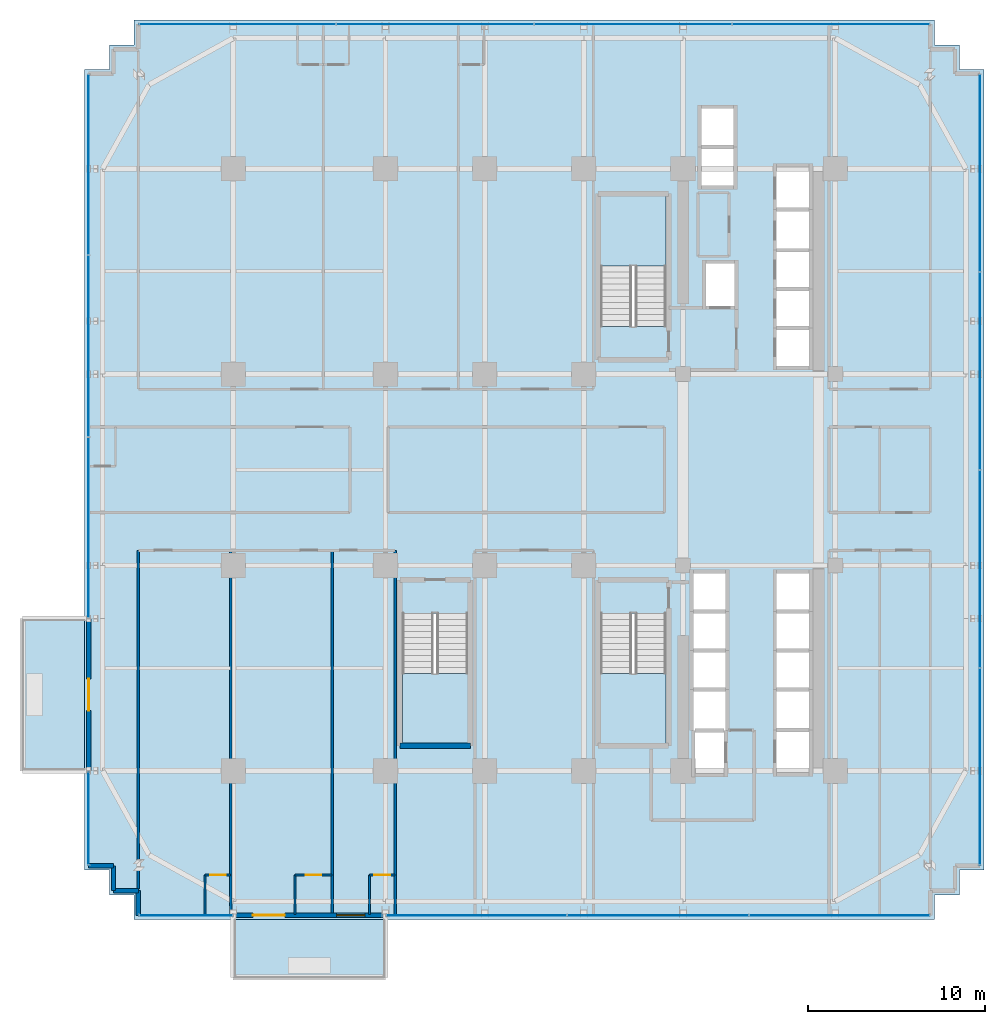
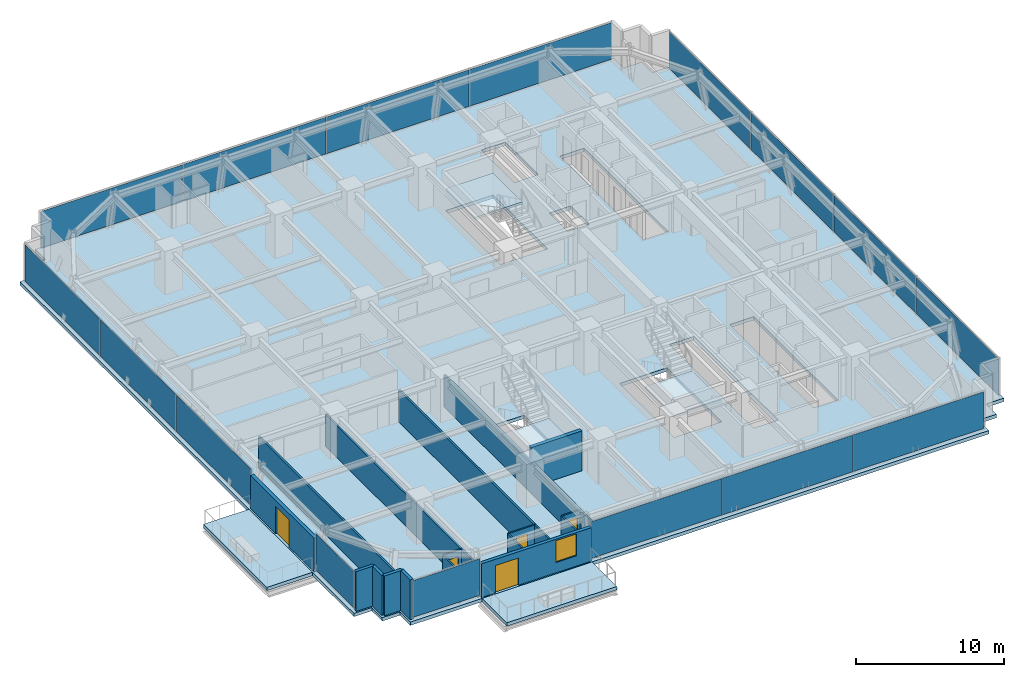
# One storey, part 28 of 35: 17 walls, 16 plates, 6 slabs, 5 doors, 1 window, 6 openings, 9 elements without a shape of their own.
"""IFC4 building model written with IfcOpenShell, lengths in metres."""

from ifc_helpers import new_model, si_unit, direction, frame, frame_2d, origin, origin_2d, place, context, subcontext, project, spatial, polyline, rectangle, outline, extrude, source, transform, mapped, material, layer, layer_set, type_object, element, fill, aggregate, save


model = new_model("IFC4")

# Units and contexts
model_context = context("Model", 3, precision=1e-05, world=origin(), true_north=direction((0.0, 1.0)))
body_context = subcontext(model_context, "Body", "Model", "MODEL_VIEW")
ifc_project = project(units=[si_unit("LENGTHUNIT", "METRE"), si_unit("AREAUNIT", "SQUARE_METRE"), si_unit("VOLUMEUNIT", "CUBIC_METRE"), si_unit("PLANEANGLEUNIT", "RADIAN"), si_unit("MASSUNIT", "GRAM", prefix="KILO")], contexts=[model_context])

# Site, building, storey
site_placement = place(None, origin())
site = spatial("IfcSite", under=ifc_project, at=site_placement, CompositionType="ELEMENT")
building_placement = place(site_placement, origin())
building = spatial("IfcBuilding", under=site, at=building_placement, Name="Nahalor Promenade Grand Hotel", CompositionType="ELEMENT")
storey_placement = place(building_placement, frame((0.0, 0.0, 79.85009765625)))
storey = spatial("IfcBuildingStorey", under=building, at=storey_placement, Name="L19", CompositionType="ELEMENT", Elevation=79.85009765625)

# Stair, slab
ifc_material_1 = material(Name="Concrete B-50 (C40/50)", Category="concrete")
stair_type_1 = type_object("IfcStairType", Name="Stair-ST1", PredefinedType="HALF_TURN_STAIR", material=ifc_material_1)
stair_1_placement = place(storey_placement, origin())
stair_1 = element("IfcStair", 1, at=stair_1_placement, inside=storey, type_object=stair_type_1, Name="L19 ST1", PredefinedType="HALF_TURN_STAIR")
ifc_layer_1 = layer(ifc_material_1, 0.199951171875)
ifc_layer_set_1 = layer_set([ifc_layer_1], Name="Concrete B-50 (C40/50)")
slab_type_1 = type_object("IfcSlabType", Name="Landing-ST1", PredefinedType="LANDING", material=ifc_layer_set_1)
slab_1_placement = place(storey_placement, frame((0.0, 0.0, 1.625)))
slab_1 = element("IfcSlab", 2, at=slab_1_placement, type_object=slab_type_1, Name="ST1 landing 1", PredefinedType="LANDING", context=body_context, shape_type="SweptSolid", body=[
    extrude(outline(polyline([(7.449951171875, 11.5), (7.449951171875, 15.449951171875), (3.75, 15.449951171875), (3.75, 11.5), (7.449951171875, 11.5)])), origin(), (0.0, 0.0, 1.0), 0.199951171875),
])
aggregate(stair_1, [slab_1])

stair_type_2 = type_object("IfcStairType", Name="Stair-ST2", PredefinedType="HALF_TURN_STAIR", material=ifc_material_1)
stair_2_placement = place(storey_placement, origin())
stair_2 = element("IfcStair", 3, at=stair_2_placement, inside=storey, type_object=stair_type_2, Name="L19 ST2", PredefinedType="HALF_TURN_STAIR")
ifc_layer_2 = layer(ifc_material_1, 0.2099609375)
ifc_layer_set_2 = layer_set([ifc_layer_2], Name="Concrete B-50 (C40/50)")
slab_type_2 = type_object("IfcSlabType", Name="Landing-ST2", PredefinedType="LANDING", material=ifc_layer_set_2)
slab_2_placement = place(storey_placement, frame((0.0, 0.0, 1.614990234375)))
slab_2 = element("IfcSlab", 4, at=slab_2_placement, type_object=slab_type_2, Name="ST2 landing 1", PredefinedType="LANDING", context=body_context, shape_type="SweptSolid", body=[
    extrude(outline(polyline([(3.75, -11.5), (3.75, -15.449951171875), (7.449951171875, -15.449951171875), (7.449951171875, -11.5), (3.75, -11.5)])), origin(), (0.0, 0.0, 1.0), 0.2099609375),
])
aggregate(stair_2, [slab_2])

stair_type_3 = type_object("IfcStairType", Name="Stair-ST3", PredefinedType="HALF_TURN_STAIR", material=ifc_material_1)
stair_3_placement = place(storey_placement, origin())
stair_3 = element("IfcStair", 5, at=stair_3_placement, inside=storey, type_object=stair_type_3, Name="L19 ST3", PredefinedType="HALF_TURN_STAIR")
ifc_layer_3 = layer(ifc_material_1, 0.219970703125)
ifc_layer_set_3 = layer_set([ifc_layer_3], Name="Concrete B-50 (C40/50)")
slab_type_3 = type_object("IfcSlabType", Name="Landing-ST3", PredefinedType="LANDING", material=ifc_layer_set_3)
slab_3_placement = place(storey_placement, frame((0.0, 0.0, 1.60498046875)))
slab_3 = element("IfcSlab", 6, at=slab_3_placement, type_object=slab_type_3, Name="ST3 landing 1", PredefinedType="LANDING", context=body_context, shape_type="SweptSolid", body=[
    extrude(outline(polyline([(-7.449951171875, -11.5), (-7.449951171875, -15.449951171875), (-3.75, -15.449951171875), (-3.75, -11.5), (-7.449951171875, -11.5)])), origin(), (0.0, 0.0, 1.0), 0.219970703125),
])
aggregate(stair_3, [slab_3])

# Slabs
ifc_layer_4 = layer(ifc_material_1, 0.280029296875)
ifc_layer_set_4 = layer_set([ifc_layer_4], Name="Concrete B-50 (C40/50)")
slab_type_4 = type_object("IfcSlabType", Name="Slab-Balcony-280", PredefinedType="FLOOR", material=ifc_layer_set_4)
slab_4_placement = place(storey_placement, frame((0.0, 0.0, -0.280029296875)))
element("IfcSlab", 7, at=slab_4_placement, inside=storey, type_object=slab_type_4, Name="L19 Cantilevered Planted Balcony 1", PredefinedType="FLOOR", context=body_context, shape_type="SweptSolid", body=[
    extrude(outline(polyline([(-17.0, -28.739990234375), (-8.39990234375, -28.739990234375), (-8.39990234375, -25.39990234375), (-17.0, -25.39990234375), (-17.0, -28.739990234375)])), origin(), (0.0, 0.0, 1.0), 0.280029296875),
])
slab_5_placement = place(storey_placement, frame((0.0, 0.0, -0.280029296875)))
element("IfcSlab", 8, at=slab_5_placement, inside=storey, type_object=slab_type_4, Name="L19 Cantilevered Planted Balcony 2", PredefinedType="FLOOR", context=body_context, shape_type="SweptSolid", body=[
    extrude(outline(polyline([(-28.969970703125, -17.0), (-25.39990234375, -17.0), (-25.39990234375, -8.39990234375), (-28.969970703125, -8.39990234375), (-28.969970703125, -17.0)])), origin(), (0.0, 0.0, 1.0), 0.280029296875),
])
ifc_layer_5 = layer(ifc_material_1, 0.280029296875)
ifc_layer_set_5 = layer_set([ifc_layer_5], Name="Concrete B-50 (C40/50)")
slab_type_5 = type_object("IfcSlabType", Name="Slab-TowerZ1-280", PredefinedType="FLOOR", material=ifc_layer_set_5)
slab_6_placement = place(storey_placement, frame((0.0, 0.0, -0.280029296875)))
element("IfcSlab", 9, at=slab_6_placement, inside=storey, type_object=slab_type_5, Name="L19 Suspended Structural Floor Slab", PredefinedType="FLOOR", context=body_context, shape_type="SweptSolid", body=[
    extrude(outline(polyline([(-22.60009765625, -25.39990234375), (22.60009765625, -25.39990234375), (22.60009765625, -24.0), (24.0, -24.0), (24.0, -22.60009765625), (25.39990234375, -22.60009765625), (25.39990234375, 22.60009765625), (24.0, 22.60009765625), (24.0, 24.0), (22.60009765625, 24.0), (22.60009765625, 25.39990234375), (-22.60009765625, 25.39990234375), (-22.60009765625, 24.0), (-24.0, 24.0), (-24.0, 22.60009765625), (-25.39990234375, 22.60009765625), (-25.39990234375, -22.60009765625), (-24.0, -22.60009765625), (-24.0, -24.0), (-22.60009765625, -24.0), (-22.60009765625, -25.39990234375)]), holes=[polyline([(3.75, 8.10009765625), (7.449951171875, 8.10009765625), (7.449951171875, 15.449951171875), (3.75, 15.449951171875), (3.75, 8.10009765625)]), polyline([(3.75, -15.449951171875), (7.449951171875, -15.449951171875), (7.449951171875, -8.10009765625), (3.75, -8.10009765625), (3.75, -15.449951171875)]), polyline([(-7.449951171875, -15.449951171875), (-3.75, -15.449951171875), (-3.75, -8.10009765625), (-7.449951171875, -8.10009765625), (-7.449951171875, -15.449951171875)]), polyline([(13.659912109375, 5.81005859375), (15.5400390625, 5.81005859375), (15.5400390625, 17.139892578125), (13.659912109375, 17.139892578125), (13.659912109375, 5.81005859375)]), polyline([(13.659912109375, -17.139892578125), (15.5400390625, -17.139892578125), (15.5400390625, -5.81005859375), (13.659912109375, -5.81005859375), (13.659912109375, -17.139892578125)]), polyline([(8.9599609375, -17.18994140625), (10.840087890625, -17.18994140625), (10.840087890625, -5.81005859375), (8.9599609375, -5.81005859375), (8.9599609375, -17.18994140625)]), polyline([(9.409912109375, 16.010009765625), (11.2900390625, 16.010009765625), (11.2900390625, 20.43994140625), (9.409912109375, 20.43994140625), (9.409912109375, 16.010009765625)]), polyline([(9.659912109375, 9.2099609375), (11.340087890625, 9.2099609375), (11.340087890625, 11.68994140625), (9.659912109375, 11.68994140625), (9.659912109375, 9.2099609375)])]), origin(), (0.0, 0.0, 1.0), 0.280029296875),
])

# Curtain wall, plate
ifc_material_2 = material(Name="Anodised Bronze Aluminium EN AW-6063 T6", Category="aluminium")
curtain_wall_type = type_object("IfcCurtainWallType", Name="CW2 Typical Hotel Flush Bronze Unitised Curtain Wall", PredefinedType="USERDEFINED", material=ifc_material_2)
curtain_wall_1_placement = place(storey_placement, origin())
curtain_wall_1 = element("IfcCurtainWall", 10, at=curtain_wall_1_placement, inside=storey, type_object=curtain_wall_type, Name="L19 Curtain Wall CW-L19-S-1", ObjectType="UNITISED_CURTAIN_WALL", PredefinedType="USERDEFINED")
ifc_material_3 = material(Name="Low-E Laminated Solar Glass", Category="glass")
ifc_layer_6 = layer(ifc_material_3, 0.028076171875)
ifc_layer_set_6 = layer_set([ifc_layer_6], Name="Low-E Laminated Solar Glass")
plate_type = type_object("IfcPlateType", Name="CWP2 Bronze Low-E Vision IGU 28mm", PredefinedType="CURTAIN_PANEL", material=ifc_layer_set_6)
shared_shape_1 = source(origin(), body_context, "Body", "SweptSolid", [
    extrude(rectangle(XDim=5.22998046875, YDim=0.028076171875, at=origin_2d()), origin(), (0.0, 0.0, 1.0), 3.030029296875),
])
plate_1_placement = place(storey_placement, frame((-19.679931640625, -25.159912109375, 0.1298828125), z_axis=(0.0, 0.0, 1.0), x_axis=(1.0, 0.0, 0.0)))
plate_1 = element("IfcPlate", 11, at=plate_1_placement, type_object=plate_type, Name="CW-L19-S-1 Glazing Panel 0-0", PredefinedType="CURTAIN_PANEL", context=body_context, shape_type="MappedRepresentation", body=[
    mapped(shared_shape_1, transform((0.0, 0.0, 0.0), scale=1.0)),
])
aggregate(curtain_wall_1, [plate_1])

curtain_wall_2_placement = place(storey_placement, origin())
curtain_wall_2 = element("IfcCurtainWall", 12, at=curtain_wall_2_placement, inside=storey, type_object=curtain_wall_type, Name="L19 Curtain Wall CW-L19-W-1", ObjectType="UNITISED_CURTAIN_WALL", PredefinedType="USERDEFINED")
plate_2_placement = place(storey_placement, frame((-25.159912109375, -19.679931640625, 0.1298828125), z_axis=(0.0, 0.0, 1.0), x_axis=(0.0, 1.0, 0.0)))
plate_2 = element("IfcPlate", 13, at=plate_2_placement, type_object=plate_type, Name="CW-L19-W-1 Glazing Panel 0-0", PredefinedType="CURTAIN_PANEL", context=body_context, shape_type="MappedRepresentation", body=[
    mapped(shared_shape_1, transform((0.0, 0.0, 0.0), scale=1.0)),
])
aggregate(curtain_wall_2, [plate_2])

# Curtain wall, plates
curtain_wall_3_placement = place(storey_placement, origin())
curtain_wall_3 = element("IfcCurtainWall", 14, at=curtain_wall_3_placement, inside=storey, type_object=curtain_wall_type, Name="L19 Curtain Wall CW-L19-S-3", ObjectType="UNITISED_CURTAIN_WALL", PredefinedType="USERDEFINED")
shared_shape_2 = source(origin(), body_context, "Body", "SweptSolid", [
    extrude(rectangle(XDim=10.15576171875, YDim=0.028076171875, at=origin_2d()), origin(), (0.0, 0.0, 1.0), 3.030029296875),
])
plate_3_placement = place(storey_placement, frame((-3.257080078125, -25.159912109375, 0.1298828125), z_axis=(0.0, 0.0, 1.0), x_axis=(1.0, 0.0, 0.0)))
plate_3 = element("IfcPlate", 15, at=plate_3_placement, type_object=plate_type, Name="CW-L19-S-3 Glazing Panel 0-0", PredefinedType="CURTAIN_PANEL", context=body_context, shape_type="MappedRepresentation", body=[
    mapped(shared_shape_2, transform((0.0, 0.0, 0.0), scale=1.0)),
])
plate_4_placement = place(storey_placement, frame((17.217041015625, -25.159912109375, 0.1298828125), z_axis=(0.0, 0.0, 1.0), x_axis=(1.0, 0.0, 0.0)))
plate_4 = element("IfcPlate", 16, at=plate_4_placement, type_object=plate_type, Name="CW-L19-S-3 Glazing Panel 2-0", PredefinedType="CURTAIN_PANEL", context=body_context, shape_type="MappedRepresentation", body=[
    mapped(shared_shape_2, transform((0.0, 0.0, 0.0), scale=1.0)),
])

curtain_wall_4_placement = place(storey_placement, origin())
curtain_wall_4 = element("IfcCurtainWall", 17, at=curtain_wall_4_placement, inside=storey, type_object=curtain_wall_type, Name="L19 Curtain Wall CW-L19-W-3", ObjectType="UNITISED_CURTAIN_WALL", PredefinedType="USERDEFINED")
plate_5_placement = place(storey_placement, frame((-25.159912109375, -3.257080078125, 0.1298828125), z_axis=(0.0, 0.0, 1.0), x_axis=(0.0, 1.0, 0.0)))
plate_5 = element("IfcPlate", 18, at=plate_5_placement, type_object=plate_type, Name="CW-L19-W-3 Glazing Panel 0-0", PredefinedType="CURTAIN_PANEL", context=body_context, shape_type="MappedRepresentation", body=[
    mapped(shared_shape_2, transform((0.0, 0.0, 0.0), scale=1.0)),
])
plate_6_placement = place(storey_placement, frame((-25.159912109375, 17.217041015625, 0.1298828125), z_axis=(0.0, 0.0, 1.0), x_axis=(0.0, 1.0, 0.0)))
plate_6 = element("IfcPlate", 19, at=plate_6_placement, type_object=plate_type, Name="CW-L19-W-3 Glazing Panel 2-0", PredefinedType="CURTAIN_PANEL", context=body_context, shape_type="MappedRepresentation", body=[
    mapped(shared_shape_2, transform((0.0, 0.0, 0.0), scale=1.0)),
])

# Plate
shared_shape_3 = source(origin(), body_context, "Body", "SweptSolid", [
    extrude(rectangle(XDim=10.188232421875, YDim=0.028076171875, at=origin_2d()), origin(), (0.0, 0.0, 1.0), 3.030029296875),
])
plate_7_placement = place(storey_placement, frame((6.97998046875, -25.159912109375, 0.1298828125), z_axis=(0.0, 0.0, 1.0), x_axis=(1.0, 0.0, 0.0)))
plate_7 = element("IfcPlate", 20, at=plate_7_placement, type_object=plate_type, Name="CW-L19-S-3 Glazing Panel 1-0", PredefinedType="CURTAIN_PANEL", context=body_context, shape_type="MappedRepresentation", body=[
    mapped(shared_shape_3, transform((0.0, 0.0, 0.0), scale=1.0)),
])

aggregate(curtain_wall_3, [plate_3, plate_7, plate_4])

plate_8_placement = place(storey_placement, frame((-25.159912109375, 6.97998046875, 0.1298828125), z_axis=(0.0, 0.0, 1.0), x_axis=(0.0, 1.0, 0.0)))
plate_8 = element("IfcPlate", 21, at=plate_8_placement, type_object=plate_type, Name="CW-L19-W-3 Glazing Panel 1-0", PredefinedType="CURTAIN_PANEL", context=body_context, shape_type="MappedRepresentation", body=[
    mapped(shared_shape_3, transform((0.0, 0.0, 0.0), scale=1.0)),
])

aggregate(curtain_wall_4, [plate_5, plate_8, plate_6])

# Curtain wall, plates
curtain_wall_5_placement = place(storey_placement, origin())
curtain_wall_5 = element("IfcCurtainWall", 22, at=curtain_wall_5_placement, inside=storey, type_object=curtain_wall_type, Name="L19 Curtain Wall CW-L19-N-1", ObjectType="UNITISED_CURTAIN_WALL", PredefinedType="USERDEFINED")
shared_shape_4 = source(origin(), body_context, "Body", "SweptSolid", [
    extrude(rectangle(XDim=11.08251953125, YDim=0.028076171875, at=origin_2d()), origin(), (0.0, 0.0, 1.0), 3.030029296875),
])
plate_9_placement = place(storey_placement, frame((-16.753662109375, 25.159912109375, 0.1298828125), z_axis=(0.0, 0.0, 1.0), x_axis=(1.0, 0.0, 0.0)))
plate_9 = element("IfcPlate", 23, at=plate_9_placement, type_object=plate_type, Name="CW-L19-N-1 Glazing Panel 0-0", PredefinedType="CURTAIN_PANEL", context=body_context, shape_type="MappedRepresentation", body=[
    mapped(shared_shape_4, transform((0.0, 0.0, 0.0), scale=1.0)),
])
plate_10_placement = place(storey_placement, frame((16.753662109375, 25.159912109375, 0.1298828125), z_axis=(0.0, 0.0, 1.0), x_axis=(1.0, 0.0, 0.0)))
plate_10 = element("IfcPlate", 24, at=plate_10_placement, type_object=plate_type, Name="CW-L19-N-1 Glazing Panel 3-0", PredefinedType="CURTAIN_PANEL", context=body_context, shape_type="MappedRepresentation", body=[
    mapped(shared_shape_4, transform((0.0, 0.0, 0.0), scale=1.0)),
])

curtain_wall_6_placement = place(storey_placement, origin())
curtain_wall_6 = element("IfcCurtainWall", 25, at=curtain_wall_6_placement, inside=storey, type_object=curtain_wall_type, Name="L19 Curtain Wall CW-L19-E-1", ObjectType="UNITISED_CURTAIN_WALL", PredefinedType="USERDEFINED")
plate_11_placement = place(storey_placement, frame((25.159912109375, -16.753662109375, 0.1298828125), z_axis=(0.0, 0.0, 1.0), x_axis=(0.0, 1.0, 0.0)))
plate_11 = element("IfcPlate", 26, at=plate_11_placement, type_object=plate_type, Name="CW-L19-E-1 Glazing Panel 0-0", PredefinedType="CURTAIN_PANEL", context=body_context, shape_type="MappedRepresentation", body=[
    mapped(shared_shape_4, transform((0.0, 0.0, 0.0), scale=1.0)),
])
plate_12_placement = place(storey_placement, frame((25.159912109375, 16.753662109375, 0.1298828125), z_axis=(0.0, 0.0, 1.0), x_axis=(0.0, 1.0, 0.0)))
plate_12 = element("IfcPlate", 27, at=plate_12_placement, type_object=plate_type, Name="CW-L19-E-1 Glazing Panel 3-0", PredefinedType="CURTAIN_PANEL", context=body_context, shape_type="MappedRepresentation", body=[
    mapped(shared_shape_4, transform((0.0, 0.0, 0.0), scale=1.0)),
])

# Plate
shared_shape_5 = source(origin(), body_context, "Body", "SweptSolid", [
    extrude(rectangle(XDim=11.114990234375, YDim=0.028076171875, at=origin_2d()), origin(), (0.0, 0.0, 1.0), 3.030029296875),
])
plate_13_placement = place(storey_placement, frame((-5.590087890625, 25.159912109375, 0.1298828125), z_axis=(0.0, 0.0, 1.0), x_axis=(1.0, 0.0, 0.0)))
plate_13 = element("IfcPlate", 28, at=plate_13_placement, type_object=plate_type, Name="CW-L19-N-1 Glazing Panel 1-0", PredefinedType="CURTAIN_PANEL", context=body_context, shape_type="MappedRepresentation", body=[
    mapped(shared_shape_5, transform((0.0, 0.0, 0.0), scale=1.0)),
])

plate_14_placement = place(storey_placement, frame((5.590087890625, 25.159912109375, 0.1298828125), z_axis=(0.0, 0.0, 1.0), x_axis=(1.0, 0.0, 0.0)))
plate_14 = element("IfcPlate", 29, at=plate_14_placement, type_object=plate_type, Name="CW-L19-N-1 Glazing Panel 2-0", PredefinedType="CURTAIN_PANEL", context=body_context, shape_type="MappedRepresentation", body=[
    mapped(shared_shape_5, transform((0.0, 0.0, 0.0), scale=1.0)),
])

aggregate(curtain_wall_5, [plate_9, plate_13, plate_14, plate_10])

plate_15_placement = place(storey_placement, frame((25.159912109375, -5.590087890625, 0.1298828125), z_axis=(0.0, 0.0, 1.0), x_axis=(0.0, 1.0, 0.0)))
plate_15 = element("IfcPlate", 30, at=plate_15_placement, type_object=plate_type, Name="CW-L19-E-1 Glazing Panel 1-0", PredefinedType="CURTAIN_PANEL", context=body_context, shape_type="MappedRepresentation", body=[
    mapped(shared_shape_5, transform((0.0, 0.0, 0.0), scale=1.0)),
])

plate_16_placement = place(storey_placement, frame((25.159912109375, 5.590087890625, 0.1298828125), z_axis=(0.0, 0.0, 1.0), x_axis=(0.0, 1.0, 0.0)))
plate_16 = element("IfcPlate", 31, at=plate_16_placement, type_object=plate_type, Name="CW-L19-E-1 Glazing Panel 2-0", PredefinedType="CURTAIN_PANEL", context=body_context, shape_type="MappedRepresentation", body=[
    mapped(shared_shape_5, transform((0.0, 0.0, 0.0), scale=1.0)),
])

aggregate(curtain_wall_6, [plate_11, plate_15, plate_16, plate_12])

# Walls
ifc_layer_7 = layer(ifc_material_1, 0.300048828125)
ifc_layer_set_7 = layer_set([ifc_layer_7], Name="Concrete B-50 (C40/50)")
wall_type_1 = type_object("IfcWallType", Name="Wall-ShaftShear-300", PredefinedType="SHEAR", material=ifc_layer_set_7)
shared_shape_6 = source(origin(), body_context, "Body", "SweptSolid", [
    extrude(rectangle(XDim=3.97998046875, YDim=0.300048828125, at=frame_2d((1.989990234375, 0.0))), origin(), (0.0, 0.0, 1.0), 3.289794921875),
])
wall_1_placement = place(storey_placement, frame((-7.590087890625, -15.590087890625, 0.0), z_axis=(0.0, 0.0, 1.0), x_axis=(1.0, 0.0, 0.0)))
element("IfcWall", 32, at=wall_1_placement, inside=storey, type_object=wall_type_1, Name="L19 Exit Stair ST3 Shaft Wall S", PredefinedType="SHEAR", context=body_context, shape_type="MappedRepresentation", body=[
    mapped(shared_shape_6, transform((0.0, 0.0, 0.0), scale=1.0)),
])
ifc_material_4 = material(Name="Concrete B-40 (C32/40)", Category="concrete")
ifc_layer_8 = layer(ifc_material_4, 0.25)
ifc_layer_set_8 = layer_set([ifc_layer_8], Name="Concrete B-40 (C32/40)")
wall_type_2 = type_object("IfcWallType", Name="Wall-BronzePier-250", PredefinedType="STANDARD", material=ifc_layer_set_8)
shared_shape_7 = source(origin(), body_context, "Body", "SweptSolid", [
    extrude(rectangle(XDim=1.39990234375, YDim=0.25, at=frame_2d((0.699951171875, 0.0))), origin(), (0.0, 0.0, 1.0), 3.289794921875),
])
for number, where, z_axis, x_axis, name in (
    (33, (-25.159912109375, -22.360107421875, 0.0), (0.0, 0.0, 1.0), (1.0, 0.0, 0.0), "W-L19-SR-13"),
    (34, (-23.760009765625, -23.760009765625, 0.0), (0.0, 0.0, 1.0), (0.0, 1.0, 0.0), "W-L19-SR-14"),
    (35, (-23.760009765625, -23.760009765625, 0.0), (0.0, 0.0, 1.0), (1.0, 0.0, 0.0), "W-L19-SR-15"),
    (36, (-22.360107421875, -25.159912109375, 0.0), (0.0, 0.0, 1.0), (0.0, 1.0, 0.0), "W-L19-SR-16"),
):
    element("IfcWall", number, at=place(storey_placement, frame(where, z_axis=z_axis, x_axis=x_axis)), inside=storey, type_object=wall_type_2, Name=name, PredefinedType="STANDARD", context=body_context, shape_type="MappedRepresentation", body=[
        mapped(shared_shape_7, transform((0.0, 0.0, 0.0), scale=1.0)),
    ])

# Wall, openings, door, window
ifc_layer_9 = layer(ifc_material_4, 0.260009765625)
ifc_layer_set_9 = layer_set([ifc_layer_9], Name="Concrete B-40 (C32/40)")
wall_type_3 = type_object("IfcWallType", Name="Wall-BalconyWall-260", PredefinedType="STANDARD", material=ifc_layer_set_9)
shared_shape_8 = source(origin(), body_context, "Body", "SweptSolid", [
    extrude(rectangle(XDim=8.60009765625, YDim=0.260009765625, at=frame_2d((4.300048828125, 0.0))), origin(), (0.0, 0.0, 1.0), 2.77001953125),
])
wall_2_placement = place(storey_placement, frame((-17.0, -25.159912109375, 0.0), z_axis=(0.0, 0.0, 1.0), x_axis=(1.0, 0.0, 0.0)))
wall_2 = element("IfcWall", 37, at=wall_2_placement, inside=storey, type_object=wall_type_3, Name="W-L19-BALC-S-2", PredefinedType="STANDARD", context=body_context, shape_type="MappedRepresentation", body=[
    mapped(shared_shape_8, transform((0.0, 0.0, 0.0), scale=1.0)),
])
opening_1_placement = place(wall_2_placement, frame((1.114990234375, 0.0, 0.0)))
opening_1 = element("IfcOpeningElement", 38, at=opening_1_placement, cuts=wall_2, Name="Opening D-BC1", PredefinedType="OPENING", context=body_context, shape_type="SweptSolid", body=[
    extrude(rectangle(XDim=1.800048828125, YDim=2.25, at=frame_2d((0.89990234375, 1.125))), frame((0.0, 0.139892578125, 0.0), z_axis=(0.0, -1.0, 0.0), x_axis=(1.0, 0.0, 0.0)), (0.0, 0.0, 1.0), 0.280029296875),
])
opening_2_placement = place(wall_2_placement, frame((5.840087890625, 0.0, 0.85009765625)))
opening_2 = element("IfcOpeningElement", 39, at=opening_2_placement, cuts=wall_2, Name="Opening WN-03", PredefinedType="OPENING", context=body_context, shape_type="SweptSolid", body=[
    extrude(rectangle(XDim=1.60009765625, YDim=1.800048828125, at=frame_2d((0.800048828125, 0.89990234375))), frame((0.0, 0.139892578125, 0.0), z_axis=(0.0, -1.0, 0.0), x_axis=(1.0, 0.0, 0.0)), (0.0, 0.0, 1.0), 0.280029296875),
])
door_type_1 = type_object("IfcDoorType", Name="Door-BalconySlide-1800", OperationType="DOUBLE_DOOR_SLIDING", PredefinedType="DOOR", material=ifc_material_2)
shared_shape_9 = source(origin(), body_context, "Body", "SweptSolid", [
    extrude(rectangle(XDim=1.800048828125, YDim=2.25, at=frame_2d((0.89990234375, 1.125))), frame((0.0, 0.02490234375, 0.0), z_axis=(0.0, -1.0, 0.0), x_axis=(1.0, 0.0, 0.0)), (0.0, 0.0, 1.0), 0.050048828125),
])
door_1_placement = place(opening_1_placement, frame((1.800048828125, 0.0, 0.0), z_axis=(0.0, 0.0, 1.0), x_axis=(-1.0, 0.0, 0.0)))
door_1 = element("IfcDoor", 40, at=door_1_placement, inside=storey, type_object=door_type_1, Name="DR-L19-BALC-S-2", OperationType="DOUBLE_DOOR_SLIDING", OverallHeight=2.25, OverallWidth=1.800048828125, PredefinedType="DOOR", context=body_context, shape_type="MappedRepresentation", body=[
    mapped(shared_shape_9, transform((0.0, 0.0, 0.0), scale=1.0)),
])
fill(opening_1, door_1)
window_type = type_object("IfcWindowType", Name="Win-CrownVented-1600x1800", PartitioningType="SINGLE_PANEL", PredefinedType="WINDOW", material=ifc_material_3)
shared_shape_10 = source(origin(), body_context, "Body", "SweptSolid", [
    extrude(rectangle(XDim=1.60009765625, YDim=1.800048828125, at=frame_2d((0.800048828125, 0.89990234375))), frame((0.0, 0.030029296875, 0.0), z_axis=(0.0, -1.0, 0.0), x_axis=(1.0, 0.0, 0.0)), (0.0, 0.0, 1.0), 0.06005859375),
])
window_placement = place(opening_2_placement, origin())
window = element("IfcWindow", 41, at=window_placement, inside=storey, type_object=window_type, Name="WN-L19-BALC-S-2-1", OverallHeight=1.800048828125, OverallWidth=1.60009765625, PartitioningType="SINGLE_PANEL", PredefinedType="WINDOW", context=body_context, shape_type="MappedRepresentation", body=[
    mapped(shared_shape_10, transform((0.0, 0.0, 0.0), scale=1.0)),
])
fill(opening_2, window)

# Wall, opening, door
wall_3_placement = place(storey_placement, frame((-25.159912109375, -17.0, 0.0), z_axis=(0.0, 0.0, 1.0), x_axis=(0.0, 1.0, 0.0)))
wall_3 = element("IfcWall", 42, at=wall_3_placement, inside=storey, type_object=wall_type_3, Name="W-L19-BALC-W-2", PredefinedType="STANDARD", context=body_context, shape_type="MappedRepresentation", body=[
    mapped(shared_shape_8, transform((0.0, 0.0, 0.0), scale=1.0)),
])
opening_3_placement = place(wall_3_placement, frame((3.39990234375, 0.0, 0.0)))
opening_3 = element("IfcOpeningElement", 43, at=opening_3_placement, cuts=wall_3, Name="Opening D-BC1", PredefinedType="OPENING", context=body_context, shape_type="SweptSolid", body=[
    extrude(rectangle(XDim=1.800048828125, YDim=2.25, at=frame_2d((0.89990234375, 1.125))), frame((0.0, 0.139892578125, 0.0), z_axis=(0.0, -1.0, 0.0), x_axis=(1.0, 0.0, 0.0)), (0.0, 0.0, 1.0), 0.280029296875),
])
door_2_placement = place(opening_3_placement, origin())
door_2 = element("IfcDoor", 44, at=door_2_placement, inside=storey, type_object=door_type_1, Name="DR-L19-BALC-W-2", OperationType="DOUBLE_DOOR_SLIDING", OverallHeight=2.25, OverallWidth=1.800048828125, PredefinedType="DOOR", context=body_context, shape_type="MappedRepresentation", body=[
    mapped(shared_shape_9, transform((0.0, 0.0, 0.0), scale=1.0)),
])
fill(opening_3, door_2)

# Walls
ifc_material_5 = material(Name="Acoustic Mineral Gypsum", Category="gypsum")
ifc_layer_10 = layer(ifc_material_5, 0.139892578125)
ifc_layer_set_10 = layer_set([ifc_layer_10], Name="Acoustic Mineral Gypsum")
wall_type_4 = type_object("IfcWallType", Name="Wall-PartSuite-140", PredefinedType="PARTITIONING", material=ifc_layer_set_10)
shared_shape_11 = source(origin(), body_context, "Body", "SweptSolid", [
    extrude(rectangle(XDim=19.1298828125, YDim=0.139892578125, at=frame_2d((9.56494140625, 0.0))), origin(), (0.0, 0.0, 1.0), 2.6298828125),
])
wall_4_placement = place(storey_placement, frame((-22.360107421875, -23.679931640625, 0.0), z_axis=(0.0, 0.0, 1.0), x_axis=(0.0, 1.0, 0.0)))
element("IfcWall", 45, at=wall_4_placement, inside=storey, type_object=wall_type_4, Name="W-L19-SW-ENDW", PredefinedType="PARTITIONING", context=body_context, shape_type="MappedRepresentation", body=[
    mapped(shared_shape_11, transform((0.0, 0.0, 0.0), scale=1.0)),
])
shared_shape_12 = source(origin(), body_context, "Body", "SweptSolid", [
    extrude(rectangle(XDim=20.550048828125, YDim=0.139892578125, at=frame_2d((10.27490234375, 0.0))), origin(), (0.0, 0.0, 1.0), 2.6298828125),
])
for number, where, z_axis, x_axis, name in (
    (46, (-7.860107421875, -25.10009765625, 0.0), (0.0, 0.0, 1.0), (0.0, 1.0, 0.0), "W-L19-SW-ENDE"),
    (47, (-17.139892578125, -25.10009765625, 0.0), (0.0, 0.0, 1.0), (0.0, 1.0, 0.0), "W-L19-SP-1"),
    (48, (-11.409912109375, -25.10009765625, 0.0), (0.0, 0.0, 1.0), (0.0, 1.0, 0.0), "W-L19-SP-2"),
):
    element("IfcWall", number, at=place(storey_placement, frame(where, z_axis=z_axis, x_axis=x_axis)), inside=storey, type_object=wall_type_4, Name=name, PredefinedType="PARTITIONING", context=body_context, shape_type="MappedRepresentation", body=[
        mapped(shared_shape_12, transform((0.0, 0.0, 0.0), scale=1.0)),
    ])

# Wall, opening, door
ifc_layer_11 = layer(ifc_material_5, 0.1201171875)
ifc_layer_set_11 = layer_set([ifc_layer_11], Name="Acoustic Mineral Gypsum")
wall_type_5 = type_object("IfcWallType", Name="Wall-PartBath-120", PredefinedType="PARTITIONING", material=ifc_layer_set_11)
shared_shape_13 = source(origin(), body_context, "Body", "SweptSolid", [
    extrude(rectangle(XDim=1.4501953125, YDim=0.1201171875, at=frame_2d((0.72509765625, 0.0))), origin(), (0.0, 0.0, 1.0), 2.6298828125),
])
wall_5_placement = place(storey_placement, frame((-18.590087890625, -22.8798828125, 0.0), z_axis=(0.0, 0.0, 1.0), x_axis=(1.0, 0.0, 0.0)))
wall_5 = element("IfcWall", 49, at=wall_5_placement, inside=storey, type_object=wall_type_5, Name="W-L19-S1-BH", PredefinedType="PARTITIONING", context=body_context, shape_type="MappedRepresentation", body=[
    mapped(shared_shape_13, transform((0.0, 0.0, 0.0), scale=1.0)),
])
opening_4_placement = place(wall_5_placement, frame((0.284912109375, 0.0, 0.0)))
opening_4 = element("IfcOpeningElement", 50, at=opening_4_placement, cuts=wall_5, Name="Opening D-03", PredefinedType="OPENING", context=body_context, shape_type="SweptSolid", body=[
    extrude(rectangle(XDim=0.8798828125, YDim=2.10009765625, at=frame_2d((0.43994140625, 1.050048828125))), frame((0.0, 0.070068359375, 0.0), z_axis=(0.0, -1.0, 0.0), x_axis=(1.0, 0.0, 0.0)), (0.0, 0.0, 1.0), 0.14013671875),
])
ifc_material_6 = material(Name="Fire-Rated Timber Composite", Category="wood")
door_type_2 = type_object("IfcDoorType", Name="Door-BathSwing-880", OperationType="NOTDEFINED", PredefinedType="DOOR", material=ifc_material_6)
shared_shape_14 = source(origin(), body_context, "Body", "SweptSolid", [
    extrude(rectangle(XDim=0.8798828125, YDim=2.10009765625, at=frame_2d((0.43994140625, 1.050048828125))), frame((0.0, 0.02490234375, 0.0), z_axis=(0.0, -1.0, 0.0), x_axis=(1.0, 0.0, 0.0)), (0.0, 0.0, 1.0), 0.050048828125),
])
door_3_placement = place(opening_4_placement, frame((0.8798828125, 0.0, 0.0), z_axis=(0.0, 0.0, 1.0), x_axis=(-1.0, 0.0, 0.0)))
door_3 = element("IfcDoor", 51, at=door_3_placement, inside=storey, type_object=door_type_2, Name="DR-L19-S1-BATH", OperationType="SINGLE_SWING_RIGHT", OverallHeight=2.10009765625, OverallWidth=0.8798828125, PredefinedType="DOOR", context=body_context, shape_type="MappedRepresentation", body=[
    mapped(shared_shape_14, transform((0.0, 0.0, 0.0), scale=1.0)),
])
fill(opening_4, door_3)

# Walls
shared_shape_15 = source(origin(), body_context, "Body", "SweptSolid", [
    extrude(rectangle(XDim=2.22021484375, YDim=0.1201171875, at=frame_2d((1.110107421875, 0.0))), origin(), (0.0, 0.0, 1.0), 2.6298828125),
])
for number, where, z_axis, x_axis, name in (
    (52, (-18.590087890625, -25.10009765625, 0.0), (0.0, 0.0, 1.0), (0.0, 1.0, 0.0), "W-L19-S1-BV"),
    (53, (-13.52001953125, -25.10009765625, 0.0), (0.0, 0.0, 1.0), (0.0, 1.0, 0.0), "W-L19-S2-BV"),
    (54, (-9.31005859375, -25.10009765625, 0.0), (0.0, 0.0, 1.0), (0.0, 1.0, 0.0), "W-L19-S3-BV"),
):
    element("IfcWall", number, at=place(storey_placement, frame(where, z_axis=z_axis, x_axis=x_axis)), inside=storey, type_object=wall_type_5, Name=name, PredefinedType="PARTITIONING", context=body_context, shape_type="MappedRepresentation", body=[
        mapped(shared_shape_15, transform((0.0, 0.0, 0.0), scale=1.0)),
    ])

# Wall, opening, door
shared_shape_16 = source(origin(), body_context, "Body", "SweptSolid", [
    extrude(rectangle(XDim=1.449951171875, YDim=0.1201171875, at=frame_2d((0.72509765625, 0.0))), origin(), (0.0, 0.0, 1.0), 2.6298828125),
])
wall_6_placement = place(storey_placement, frame((-9.31005859375, -22.8798828125, 0.0), z_axis=(0.0, 0.0, 1.0), x_axis=(1.0, 0.0, 0.0)))
wall_6 = element("IfcWall", 55, at=wall_6_placement, inside=storey, type_object=wall_type_5, Name="W-L19-S3-BH", PredefinedType="PARTITIONING", context=body_context, shape_type="MappedRepresentation", body=[
    mapped(shared_shape_16, transform((0.0, 0.0, 0.0), scale=1.0)),
])
opening_5_placement = place(wall_6_placement, frame((0.284912109375, 0.0, 0.0)))
opening_5 = element("IfcOpeningElement", 56, at=opening_5_placement, cuts=wall_6, Name="Opening D-03", PredefinedType="OPENING", context=body_context, shape_type="SweptSolid", body=[
    extrude(rectangle(XDim=0.8798828125, YDim=2.10009765625, at=frame_2d((0.43994140625, 1.050048828125))), frame((0.0, 0.070068359375, 0.0), z_axis=(0.0, -1.0, 0.0), x_axis=(1.0, 0.0, 0.0)), (0.0, 0.0, 1.0), 0.14013671875),
])
door_4_placement = place(opening_5_placement, frame((0.8798828125, 0.0, 0.0), z_axis=(0.0, 0.0, 1.0), x_axis=(-1.0, 0.0, 0.0)))
door_4 = element("IfcDoor", 57, at=door_4_placement, inside=storey, type_object=door_type_2, Name="DR-L19-S3-BATH", OperationType="SINGLE_SWING_RIGHT", OverallHeight=2.10009765625, OverallWidth=0.8798828125, PredefinedType="DOOR", context=body_context, shape_type="MappedRepresentation", body=[
    mapped(shared_shape_14, transform((0.0, 0.0, 0.0), scale=1.0)),
])
fill(opening_5, door_4)

shared_shape_17 = source(origin(), body_context, "Body", "SweptSolid", [
    extrude(rectangle(XDim=2.110107421875, YDim=0.1201171875, at=frame_2d((1.05517578125, 0.0))), origin(), (0.0, 0.0, 1.0), 2.6298828125),
])
wall_7_placement = place(storey_placement, frame((-13.52001953125, -22.8798828125, 0.0), z_axis=(0.0, 0.0, 1.0), x_axis=(1.0, 0.0, 0.0)))
wall_7 = element("IfcWall", 58, at=wall_7_placement, inside=storey, type_object=wall_type_5, Name="W-L19-S2-BH", PredefinedType="PARTITIONING", context=body_context, shape_type="MappedRepresentation", body=[
    mapped(shared_shape_17, transform((0.0, 0.0, 0.0), scale=1.0)),
])
opening_6_placement = place(wall_7_placement, frame((0.614990234375, 0.0, 0.0)))
opening_6 = element("IfcOpeningElement", 59, at=opening_6_placement, cuts=wall_7, Name="Opening D-03", PredefinedType="OPENING", context=body_context, shape_type="SweptSolid", body=[
    extrude(rectangle(XDim=0.8798828125, YDim=2.10009765625, at=frame_2d((0.43994140625, 1.050048828125))), frame((0.0, 0.070068359375, 0.0), z_axis=(0.0, -1.0, 0.0), x_axis=(1.0, 0.0, 0.0)), (0.0, 0.0, 1.0), 0.14013671875),
])
door_5_placement = place(opening_6_placement, frame((0.8798828125, 0.0, 0.0), z_axis=(0.0, 0.0, 1.0), x_axis=(-1.0, 0.0, 0.0)))
door_5 = element("IfcDoor", 60, at=door_5_placement, inside=storey, type_object=door_type_2, Name="DR-L19-S2-BATH", OperationType="SINGLE_SWING_RIGHT", OverallHeight=2.10009765625, OverallWidth=0.8798828125, PredefinedType="DOOR", context=body_context, shape_type="MappedRepresentation", body=[
    mapped(shared_shape_14, transform((0.0, 0.0, 0.0), scale=1.0)),
])
fill(opening_6, door_5)

save(model, "model.ifc")
